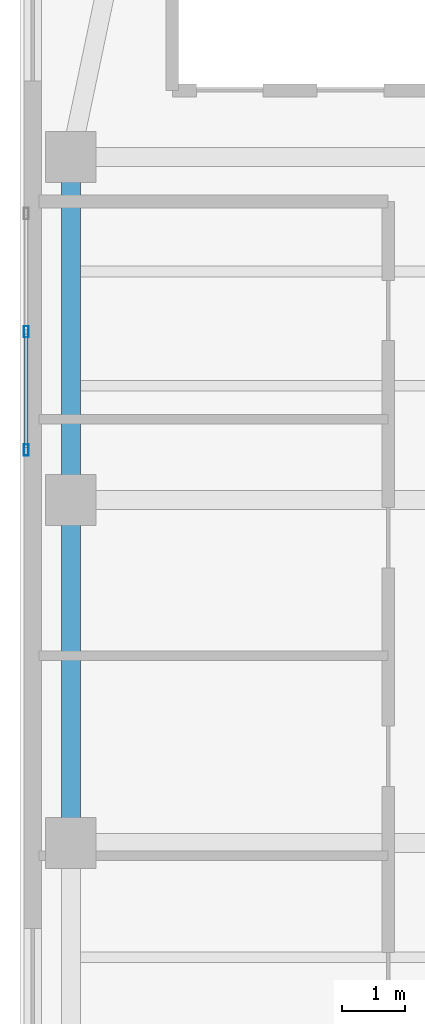
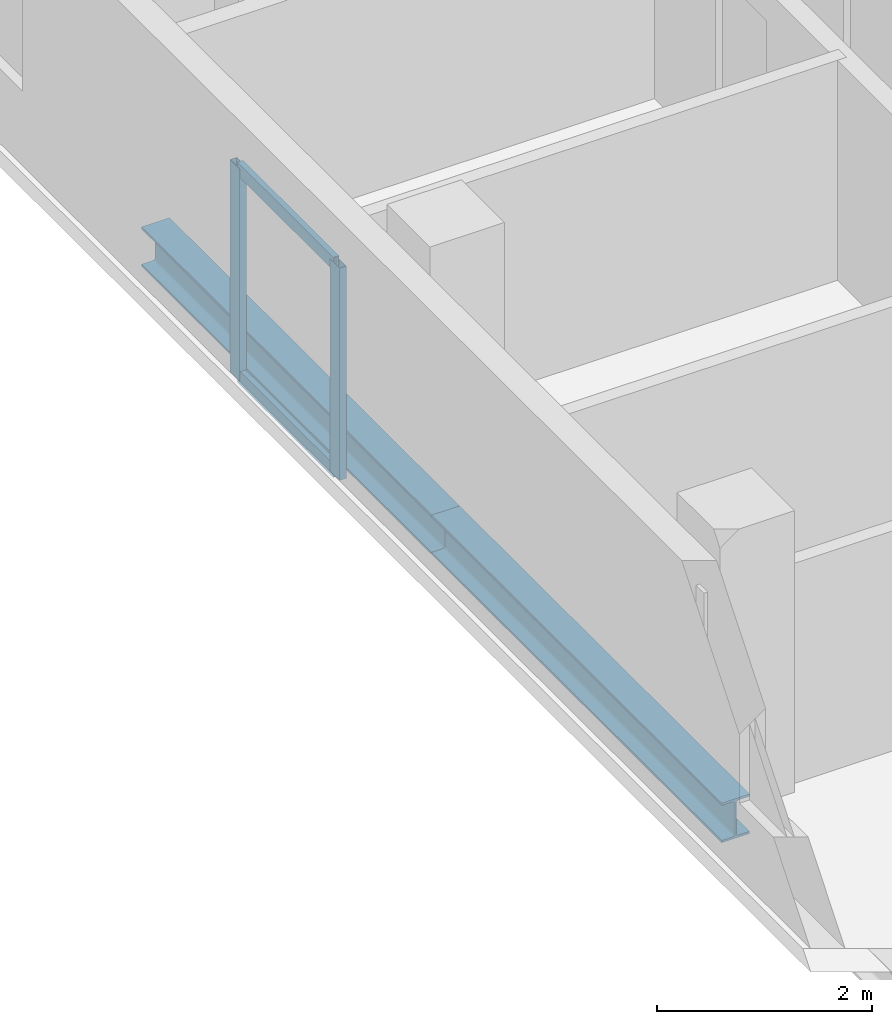
# One storey, part 3 of 9: 4 members, 2 beams, 1 element without a shape of its own.
"""IFC4 building model written with IfcOpenShell, lengths in metres."""

from ifc_helpers import new_model, si_unit, direction, frame, origin, origin_2d, place, context, subcontext, project, spatial, hollow_rectangle, i_section, extrude, material, material_profile, profile_set, type_object, element, aggregate, save


model = new_model("IFC4")

# Units and contexts
model_context = context("Model", 3, precision=1e-05, world=origin(), true_north=direction((0.0, 1.0)))
body_context = subcontext(model_context, "Body", "Model", "MODEL_VIEW")
ifc_project = project(units=[si_unit("LENGTHUNIT", "METRE"), si_unit("AREAUNIT", "SQUARE_METRE"), si_unit("VOLUMEUNIT", "CUBIC_METRE"), si_unit("PLANEANGLEUNIT", "RADIAN"), si_unit("MASSUNIT", "GRAM", prefix="KILO")], contexts=[model_context])

# Site, building, storey
site_placement = place(None, origin())
site = spatial("IfcSite", under=ifc_project, at=site_placement, CompositionType="ELEMENT")
building_placement = place(site_placement, origin())
building = spatial("IfcBuilding", under=site, at=building_placement, Name="Kuzgunbayir Cultural Tower", CompositionType="ELEMENT")
storey_placement = place(building_placement, frame((0.0, 0.0, 247.199951171875)))
storey = spatial("IfcBuildingStorey", under=building, at=storey_placement, Name="L73", CompositionType="ELEMENT", Elevation=247.199951171875)

# Beams
ifc_material_1 = material(Name="Steel S355J2", Category="steel")
ifc_material_profile_1 = material_profile(ifc_material_1, i_section(OverallWidth=0.300048828125, OverallDepth=0.449951171875, WebThickness=0.013916015625, FlangeThickness=0.02587890625, FilletRadius=0.027099609375, at=origin_2d()), Name="HEB 450")
ifc_profile_set_1 = profile_set([ifc_material_profile_1], Name="Steel S355J2")
beam_type = type_object("IfcBeamType", Name="BM-EXT-HEB450", PredefinedType="BEAM", material=ifc_profile_set_1)
beam_1_placement = place(storey_placement, frame((5.39990234375, 18.0, -0.39990234375), z_axis=(0.0, 1.0, 0.0), x_axis=(-1.0, 0.0, 0.0)))
element("IfcBeam", 1, at=beam_1_placement, inside=storey, type_object=beam_type, Name="L73 Wing A West Girder 2", PredefinedType="BEAM", context=body_context, shape_type="SweptSolid", body=[
    extrude(i_section(OverallWidth=0.300048828125, OverallDepth=0.449951171875, WebThickness=0.013916015625, FlangeThickness=0.02587890625, FilletRadius=0.027099609375, at=origin_2d()), origin(), (0.0, 0.0, 1.0), 5.39990234375),
])
beam_2_placement = place(storey_placement, frame((5.39990234375, 23.39990234375, -0.39990234375), z_axis=(0.0, 1.0, 0.0), x_axis=(-1.0, 0.0, 0.0)))
element("IfcBeam", 2, at=beam_2_placement, inside=storey, type_object=beam_type, Name="L73 Wing A West Girder 3", PredefinedType="BEAM", context=body_context, shape_type="SweptSolid", body=[
    extrude(i_section(OverallWidth=0.300048828125, OverallDepth=0.449951171875, WebThickness=0.013916015625, FlangeThickness=0.02587890625, FilletRadius=0.027099609375, at=origin_2d()), origin(), (0.0, 0.0, 1.0), 5.400146484375),
])

# Curtain wall, members
ifc_material_2 = material(Name="Anodised Aluminium Framing", Category="aluminium")
curtain_wall_type = type_object("IfcCurtainWallType", Name="CW06-OBSERVATORY", PredefinedType="NOTDEFINED", material=ifc_material_2)
curtain_wall_placement = place(storey_placement, origin())
curtain_wall = element("IfcCurtainWall", 3, at=curtain_wall_placement, inside=storey, type_object=curtain_wall_type, Name="L73 Crown Observatory West Curtain Wall", PredefinedType="NOTDEFINED")
ifc_material_profile_2 = material_profile(ifc_material_2, hollow_rectangle(XDim=0.074951171875, YDim=0.179931640625, WallThickness=0.0048828125, at=origin_2d()), Name="RHS 180x75x5")
ifc_profile_set_2 = profile_set([ifc_material_profile_2], Name="Anodised Aluminium Framing")
member_type_1 = type_object("IfcMemberType", Name="MEM-CW-MULLION-180", PredefinedType="MULLION", material=ifc_profile_set_2)
member_1_placement = place(storey_placement, frame((4.699951171875, 24.1875, 0.0), z_axis=(0.0, 0.0, 1.0), x_axis=(-1.0, 0.0, 0.0)))
member_1 = element("IfcMember", 4, at=member_1_placement, type_object=member_type_1, Name="CW06 mullion 1", PredefinedType="MULLION", context=body_context, shape_type="SweptSolid", body=[
    extrude(hollow_rectangle(XDim=0.074951171875, YDim=0.179931640625, WallThickness=0.0048828125, at=origin_2d()), origin(), (0.0, 0.0, 1.0), 2.41015625),
])
member_2_placement = place(storey_placement, frame((4.699951171875, 26.050048828125, 0.0), z_axis=(0.0, 0.0, 1.0), x_axis=(-1.0, 0.0, 0.0)))
member_2 = element("IfcMember", 5, at=member_2_placement, type_object=member_type_1, Name="CW06 mullion 2", PredefinedType="MULLION", context=body_context, shape_type="SweptSolid", body=[
    extrude(hollow_rectangle(XDim=0.074951171875, YDim=0.179931640625, WallThickness=0.0048828125, at=origin_2d()), origin(), (0.0, 0.0, 1.0), 2.41015625),
])
ifc_material_profile_3 = material_profile(ifc_material_2, hollow_rectangle(XDim=0.06005859375, YDim=0.14990234375, WallThickness=0.00390625, at=origin_2d()), Name="RHS 150x60x4")
ifc_profile_set_3 = profile_set([ifc_material_profile_3], Name="Anodised Aluminium Framing")
member_type_2 = type_object("IfcMemberType", Name="MEM-CW-TRANSOM-150", PredefinedType="USERDEFINED", material=ifc_profile_set_3)
member_3_placement = place(storey_placement, frame((4.699951171875, 24.22509765625, 0.030029296875), z_axis=(0.0, 1.0, 0.0), x_axis=(-1.0, 0.0, 0.0)))
member_3 = element("IfcMember", 6, at=member_3_placement, type_object=member_type_2, Name="CW06 transom 1.1", ObjectType="TRANSOM", PredefinedType="USERDEFINED", context=body_context, shape_type="SweptSolid", body=[
    extrude(hollow_rectangle(XDim=0.06005859375, YDim=0.14990234375, WallThickness=0.00390625, at=origin_2d()), origin(), (0.0, 0.0, 1.0), 1.787353515625),
])
member_4_placement = place(storey_placement, frame((4.699951171875, 24.22509765625, 2.380126953125), z_axis=(0.0, 1.0, 0.0), x_axis=(-1.0, 0.0, 0.0)))
member_4 = element("IfcMember", 7, at=member_4_placement, type_object=member_type_2, Name="CW06 transom 1.2", ObjectType="TRANSOM", PredefinedType="USERDEFINED", context=body_context, shape_type="SweptSolid", body=[
    extrude(hollow_rectangle(XDim=0.06005859375, YDim=0.14990234375, WallThickness=0.00390625, at=origin_2d()), origin(), (0.0, 0.0, 1.0), 1.787353515625),
])
aggregate(curtain_wall, [member_1, member_2, member_3, member_4])

save(model, "model.ifc")
